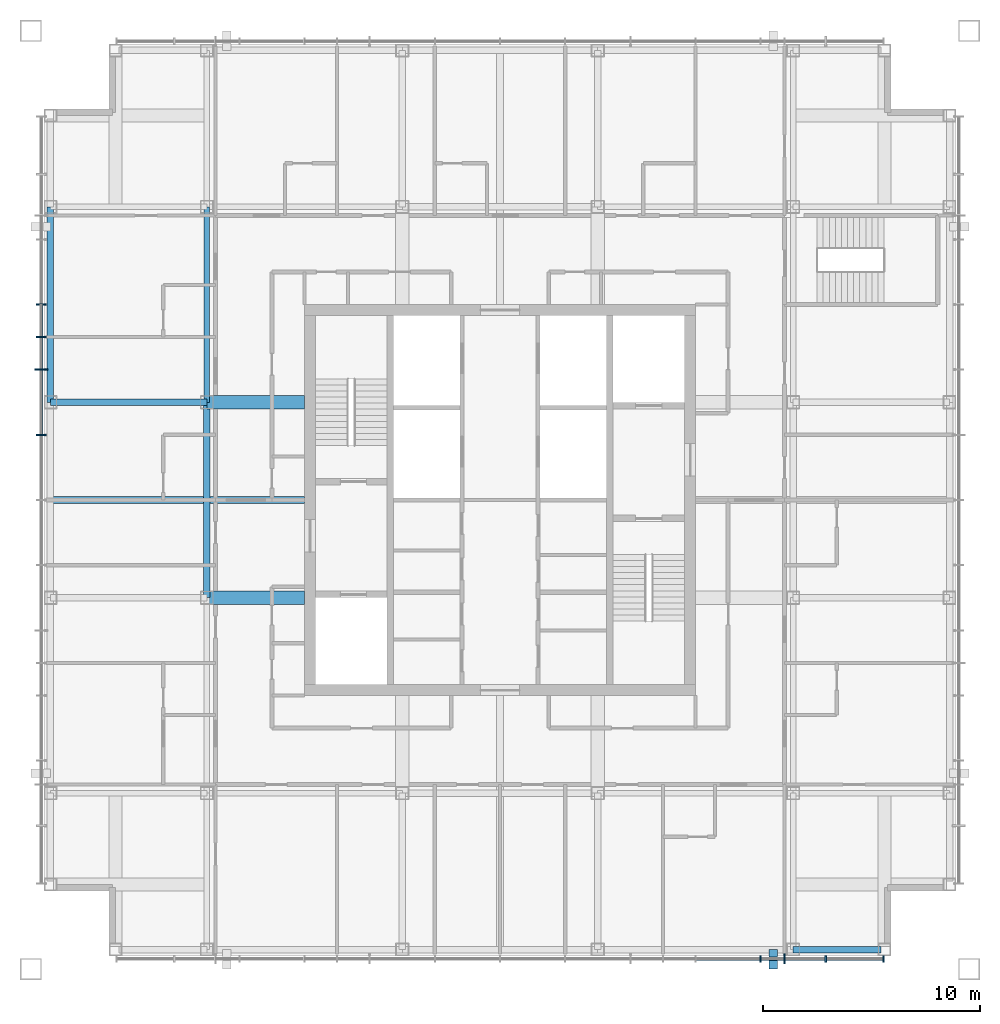
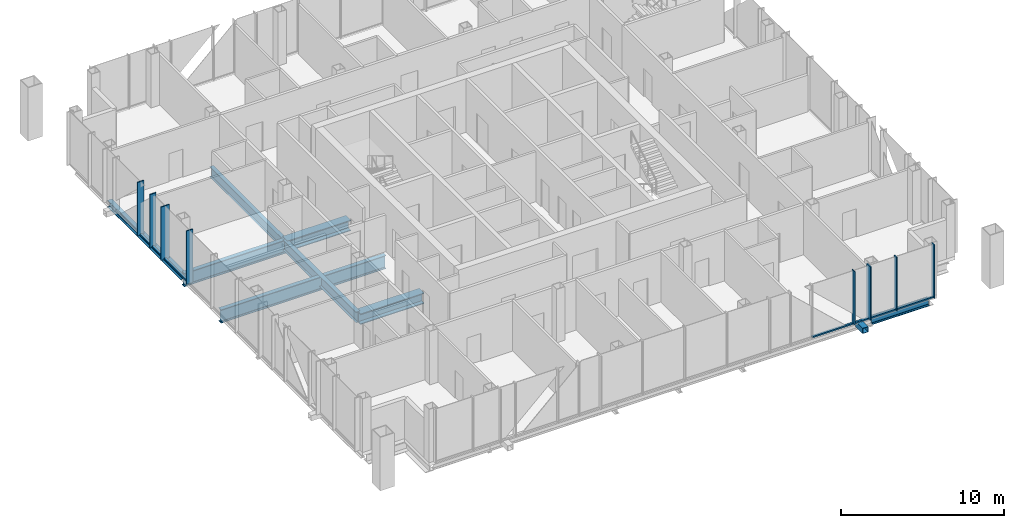
# One storey, part 3 of 14: 16 members, 8 beams, 2 elements without a shape of their own.
"""IFC4 building model written with IfcOpenShell, lengths in metres."""

from ifc_helpers import new_model, si_unit, direction, frame, origin, origin_2d, place, context, subcontext, project, spatial, rectangle, hollow_rectangle, i_section, extrude, material, layer, layer_set, material_profile, profile_set, type_object, element, aggregate, save


model = new_model("IFC4")

# Units and contexts
model_context = context("Model", 3, precision=1e-05, world=origin(), true_north=direction((0.0, 1.0)))
body_context = subcontext(model_context, "Body", "Model", "MODEL_VIEW")
ifc_project = project(units=[si_unit("LENGTHUNIT", "METRE"), si_unit("AREAUNIT", "SQUARE_METRE"), si_unit("VOLUMEUNIT", "CUBIC_METRE"), si_unit("PLANEANGLEUNIT", "RADIAN"), si_unit("MASSUNIT", "GRAM", prefix="KILO")], contexts=[model_context])

# Site, building, storey
site_placement = place(None, origin())
site = spatial("IfcSite", under=ifc_project, at=site_placement, CompositionType="ELEMENT")
building_placement = place(site_placement, origin())
building = spatial("IfcBuilding", under=site, at=building_placement, Name="Malebo Sky Hospital", CompositionType="ELEMENT")
storey_placement = place(building_placement, frame((0.0, 0.0, 258.0)))
storey = spatial("IfcBuildingStorey", under=building, at=storey_placement, Name="L62", CompositionType="ELEMENT", Elevation=258.0)

# Curtain wall, members
ifc_material_1 = material(Name="Anodised aluminium, natural silver", Category="aluminium")
ifc_layer_1 = layer(ifc_material_1, 0.25)
ifc_layer_set_1 = layer_set([ifc_layer_1], Name="WARD CURTAIN WALL EAST AND WEST")
curtain_wall_type_1 = type_object("IfcCurtainWallType", Name="WARD CURTAIN WALL EAST AND WEST", PredefinedType="NOTDEFINED", material=ifc_layer_set_1)
curtain_wall_1_placement = place(storey_placement, origin())
curtain_wall_1 = element("IfcCurtainWall", 1, at=curtain_wall_1_placement, inside=storey, type_object=curtain_wall_type_1, Name="EW curtain wall W", PredefinedType="NOTDEFINED")
ifc_material_profile_1 = material_profile(ifc_material_1, rectangle(XDim=0.14990234375, YDim=0.10009765625, at=origin_2d()), Name="ALUMINIUM TRANSOM 150x100")
ifc_profile_set_1 = profile_set([ifc_material_profile_1], Name="Anodised aluminium, natural silver")
member_type_1 = type_object("IfcMemberType", Name="ALUMINIUM TRANSOM 150x100", PredefinedType="USERDEFINED", material=ifc_profile_set_1)
member_1_placement = place(storey_placement, frame((38.875, 65.03759765625, 0.050048828125), z_axis=(0.0, 1.0, 0.0), x_axis=(-1.0, 0.0, 0.0)))
member_1 = element("IfcMember", 2, at=member_1_placement, type_object=member_type_1, Name="Transom 10", ObjectType="TRANSOM", PredefinedType="USERDEFINED", context=body_context, shape_type="SweptSolid", body=[
    extrude(rectangle(XDim=0.14990234375, YDim=0.10009765625, at=origin_2d()), origin(), (0.0, 0.0, 1.0), 2.9248046875),
])
member_2_placement = place(storey_placement, frame((38.875, 68.03759765625, 0.050048828125), z_axis=(0.0, 1.0, 0.0), x_axis=(-1.0, 0.0, 0.0)))
member_2 = element("IfcMember", 3, at=member_2_placement, type_object=member_type_1, Name="Transom 11", ObjectType="TRANSOM", PredefinedType="USERDEFINED", context=body_context, shape_type="SweptSolid", body=[
    extrude(rectangle(XDim=0.14990234375, YDim=0.10009765625, at=origin_2d()), origin(), (0.0, 0.0, 1.0), 1.4248046875),
])
member_3_placement = place(storey_placement, frame((38.875, 69.53759765625, 0.050048828125), z_axis=(0.0, 1.0, 0.0), x_axis=(-1.0, 0.0, 0.0)))
member_3 = element("IfcMember", 4, at=member_3_placement, type_object=member_type_1, Name="Transom 12", ObjectType="TRANSOM", PredefinedType="USERDEFINED", context=body_context, shape_type="SweptSolid", body=[
    extrude(rectangle(XDim=0.14990234375, YDim=0.10009765625, at=origin_2d()), origin(), (0.0, 0.0, 1.0), 1.4248046875),
])

ifc_layer_2 = layer(ifc_material_1, 0.25)
ifc_layer_set_2 = layer_set([ifc_layer_2], Name="WARD CURTAIN WALL NORTH AND SOUTH")
curtain_wall_type_2 = type_object("IfcCurtainWallType", Name="WARD CURTAIN WALL NORTH AND SOUTH", PredefinedType="NOTDEFINED", material=ifc_layer_set_2)
curtain_wall_2_placement = place(storey_placement, origin())
curtain_wall_2 = element("IfcCurtainWall", 5, at=curtain_wall_2_placement, inside=storey, type_object=curtain_wall_type_2, Name="NS curtain wall S", PredefinedType="NOTDEFINED")
member_4_placement = place(storey_placement, frame((77.625, 40.875, 0.050048828125), z_axis=(-1.0, 0.0, 0.0), x_axis=(0.0, -1.0, 0.0)))
member_4 = element("IfcMember", 6, at=member_4_placement, type_object=member_type_1, Name="Transom 1", ObjectType="TRANSOM", PredefinedType="USERDEFINED", context=body_context, shape_type="SweptSolid", body=[
    extrude(rectangle(XDim=0.14990234375, YDim=0.10009765625, at=origin_2d()), origin(), (0.0, 0.0, 1.0), 2.58740234375),
])
member_5_placement = place(storey_placement, frame((74.96240234375, 40.875, 0.050048828125), z_axis=(-1.0, 0.0, 0.0), x_axis=(0.0, -1.0, 0.0)))
member_5 = element("IfcMember", 7, at=member_5_placement, type_object=member_type_1, Name="Transom 2", ObjectType="TRANSOM", PredefinedType="USERDEFINED", context=body_context, shape_type="SweptSolid", body=[
    extrude(rectangle(XDim=0.14990234375, YDim=0.10009765625, at=origin_2d()), origin(), (0.0, 0.0, 1.0), 1.824951171875),
])
member_6_placement = place(storey_placement, frame((73.0625, 40.875, 0.050048828125), z_axis=(-1.0, 0.0, 0.0), x_axis=(0.0, -1.0, 0.0)))
member_6 = element("IfcMember", 8, at=member_6_placement, type_object=member_type_1, Name="Transom 3", ObjectType="TRANSOM", PredefinedType="USERDEFINED", context=body_context, shape_type="SweptSolid", body=[
    extrude(rectangle(XDim=0.14990234375, YDim=0.10009765625, at=origin_2d()), origin(), (0.0, 0.0, 1.0), 1.02490234375),
])
member_7_placement = place(storey_placement, frame((71.96240234375, 40.875, 0.050048828125), z_axis=(-1.0, 0.0, 0.0), x_axis=(0.0, -1.0, 0.0)))
member_7 = element("IfcMember", 9, at=member_7_placement, type_object=member_type_1, Name="Transom 4", ObjectType="TRANSOM", PredefinedType="USERDEFINED", context=body_context, shape_type="SweptSolid", body=[
    extrude(rectangle(XDim=0.14990234375, YDim=0.10009765625, at=origin_2d()), origin(), (0.0, 0.0, 1.0), 2.9248046875),
])

# Member
ifc_material_2 = material(Name="Steel S355", Category="steel")
ifc_material_profile_2 = material_profile(ifc_material_2, hollow_rectangle(XDim=0.39990234375, YDim=0.39990234375, WallThickness=0.02001953125, at=origin_2d()), Name="SHS 400x20")
ifc_profile_set_2 = profile_set([ifc_material_profile_2], Name="Steel S355")
member_type_2 = type_object("IfcMemberType", Name="BRACE STRUT SHS 400x20", PredefinedType="STRUT", material=ifc_profile_set_2)
member_8_placement = place(storey_placement, frame((72.575439453125, 40.39990234375, -0.39990234375), z_axis=(0.0, 1.0, 0.0), x_axis=(-1.0, 0.0, 0.0)))
element("IfcMember", 10, at=member_8_placement, inside=storey, type_object=member_type_2, Name="Brace strut DS2 L62", PredefinedType="STRUT", context=body_context, shape_type="SweptSolid", body=[
    extrude(hollow_rectangle(XDim=0.39990234375, YDim=0.39990234375, WallThickness=0.02001953125, at=origin_2d()), origin(), (0.0, 0.0, 1.0), 0.900146484375),
])

ifc_material_profile_3 = material_profile(ifc_material_1, rectangle(XDim=0.074951171875, YDim=0.300048828125, at=origin_2d()), Name="CW1 ALUMINIUM FIN MULLION 75x300")
ifc_profile_set_3 = profile_set([ifc_material_profile_3], Name="Anodised aluminium, natural silver")
member_type_3 = type_object("IfcMemberType", Name="CW1 ALUMINIUM FIN MULLION 75x300", PredefinedType="MULLION", material=ifc_profile_set_3)
member_9_placement = place(storey_placement, frame((77.66259765625, 40.875, 0.0), z_axis=(0.0, 0.0, 1.0), x_axis=(-1.0, 0.0, 0.0)))
member_9 = element("IfcMember", 11, at=member_9_placement, type_object=member_type_3, Name="Fin mullion 1", PredefinedType="MULLION", context=body_context, shape_type="SweptSolid", body=[
    extrude(rectangle(XDim=0.074951171875, YDim=0.300048828125, at=origin_2d()), origin(), (0.0, 0.0, 1.0), 4.0),
])

member_10_placement = place(storey_placement, frame((75.0, 40.875, 0.0), z_axis=(0.0, 0.0, 1.0), x_axis=(-1.0, 0.0, 0.0)))
member_10 = element("IfcMember", 12, at=member_10_placement, type_object=member_type_3, Name="Fin mullion 2", PredefinedType="MULLION", context=body_context, shape_type="SweptSolid", body=[
    extrude(rectangle(XDim=0.074951171875, YDim=0.300048828125, at=origin_2d()), origin(), (0.0, 0.0, 1.0), 4.0),
])

member_11_placement = place(storey_placement, frame((72.0, 40.875, 0.0), z_axis=(0.0, 0.0, 1.0), x_axis=(-1.0, 0.0, 0.0)))
member_11 = element("IfcMember", 13, at=member_11_placement, type_object=member_type_3, Name="Fin mullion 4", PredefinedType="MULLION", context=body_context, shape_type="SweptSolid", body=[
    extrude(rectangle(XDim=0.074951171875, YDim=0.300048828125, at=origin_2d()), origin(), (0.0, 0.0, 1.0), 4.0),
])

ifc_material_profile_4 = material_profile(ifc_material_1, rectangle(XDim=0.074951171875, YDim=0.449951171875, at=origin_2d()), Name="CW1 ALUMINIUM FIN MULLION 75x450")
ifc_profile_set_4 = profile_set([ifc_material_profile_4], Name="Anodised aluminium, natural silver")
member_type_4 = type_object("IfcMemberType", Name="CW1 ALUMINIUM FIN MULLION 75x450", PredefinedType="MULLION", material=ifc_profile_set_4)
member_12_placement = place(storey_placement, frame((73.10009765625, 40.875, 0.0), z_axis=(0.0, 0.0, 1.0), x_axis=(-1.0, 0.0, 0.0)))
member_12 = element("IfcMember", 14, at=member_12_placement, type_object=member_type_4, Name="Fin mullion 3", PredefinedType="MULLION", context=body_context, shape_type="SweptSolid", body=[
    extrude(rectangle(XDim=0.074951171875, YDim=0.449951171875, at=origin_2d()), origin(), (0.0, 0.0, 1.0), 4.0),
])

aggregate(curtain_wall_2, [member_9, member_10, member_12, member_11, member_4, member_5, member_6, member_7])

ifc_material_profile_5 = material_profile(ifc_material_1, rectangle(XDim=0.074951171875, YDim=0.449951171875, at=origin_2d()), Name="CW2 ALUMINIUM FIN MULLION 75x450")
ifc_profile_set_5 = profile_set([ifc_material_profile_5], Name="Anodised aluminium, natural silver")
member_type_5 = type_object("IfcMemberType", Name="CW2 ALUMINIUM FIN MULLION 75x450", PredefinedType="MULLION", material=ifc_profile_set_5)
member_13_placement = place(storey_placement, frame((38.875, 65.0, 0.0), z_axis=(0.0, 0.0, 1.0), x_axis=(0.0, 1.0, 0.0)))
member_13 = element("IfcMember", 15, at=member_13_placement, type_object=member_type_5, Name="Fin mullion 10", PredefinedType="MULLION", context=body_context, shape_type="SweptSolid", body=[
    extrude(rectangle(XDim=0.074951171875, YDim=0.449951171875, at=origin_2d()), origin(), (0.0, 0.0, 1.0), 4.0),
])

member_14_placement = place(storey_placement, frame((38.875, 69.5, 0.0), z_axis=(0.0, 0.0, 1.0), x_axis=(0.0, 1.0, 0.0)))
member_14 = element("IfcMember", 16, at=member_14_placement, type_object=member_type_5, Name="Fin mullion 12", PredefinedType="MULLION", context=body_context, shape_type="SweptSolid", body=[
    extrude(rectangle(XDim=0.074951171875, YDim=0.449951171875, at=origin_2d()), origin(), (0.0, 0.0, 1.0), 4.0),
])

member_15_placement = place(storey_placement, frame((38.875, 71.0, 0.0), z_axis=(0.0, 0.0, 1.0), x_axis=(0.0, 1.0, 0.0)))
member_15 = element("IfcMember", 17, at=member_15_placement, type_object=member_type_5, Name="Fin mullion 13", PredefinedType="MULLION", context=body_context, shape_type="SweptSolid", body=[
    extrude(rectangle(XDim=0.074951171875, YDim=0.449951171875, at=origin_2d()), origin(), (0.0, 0.0, 1.0), 4.0),
])

ifc_material_profile_6 = material_profile(ifc_material_1, rectangle(XDim=0.074951171875, YDim=0.60009765625, at=origin_2d()), Name="CW2 ALUMINIUM FIN MULLION 75x600")
ifc_profile_set_6 = profile_set([ifc_material_profile_6], Name="Anodised aluminium, natural silver")
member_type_6 = type_object("IfcMemberType", Name="CW2 ALUMINIUM FIN MULLION 75x600", PredefinedType="MULLION", material=ifc_profile_set_6)
member_16_placement = place(storey_placement, frame((38.875, 68.0, 0.0), z_axis=(0.0, 0.0, 1.0), x_axis=(0.0, 1.0, 0.0)))
member_16 = element("IfcMember", 18, at=member_16_placement, type_object=member_type_6, Name="Fin mullion 11", PredefinedType="MULLION", context=body_context, shape_type="SweptSolid", body=[
    extrude(rectangle(XDim=0.074951171875, YDim=0.60009765625, at=origin_2d()), origin(), (0.0, 0.0, 1.0), 4.0),
])

aggregate(curtain_wall_1, [member_13, member_16, member_14, member_15, member_1, member_2, member_3])

# Beams
ifc_material_profile_7 = material_profile(ifc_material_2, i_section(OverallWidth=0.305908203125, OverallDepth=0.52392578125, WebThickness=0.02099609375, FlangeThickness=0.0400390625, FilletRadius=0.027099609375, at=origin_2d()), Name="HEM 500")
ifc_profile_set_7 = profile_set([ifc_material_profile_7], Name="Steel S355")
beam_type_1 = type_object("IfcBeamType", Name="EDGE BEAM HEM 500", PredefinedType="BEAM", material=ifc_profile_set_7)
beam_1_placement = place(storey_placement, frame((39.300048828125, 66.5, -0.511962890625), z_axis=(0.0, 1.0, 0.0), x_axis=(-1.0, 0.0, 0.0)))
element("IfcBeam", 19, at=beam_1_placement, inside=storey, type_object=beam_type_1, Name="Beam 003 L62", PredefinedType="BEAM", context=body_context, shape_type="SweptSolid", body=[
    extrude(i_section(OverallWidth=0.305908203125, OverallDepth=0.52392578125, WebThickness=0.02099609375, FlangeThickness=0.0400390625, FilletRadius=0.027099609375, at=origin_2d()), origin(), (0.0, 0.0, 1.0), 9.0),
])
beam_2_placement = place(storey_placement, frame((73.5, 41.300048828125, -0.511962890625), z_axis=(1.0, 0.0, 0.0), x_axis=(0.0, 1.0, 0.0)))
element("IfcBeam", 20, at=beam_2_placement, inside=storey, type_object=beam_type_1, Name="Beam 038 L62", PredefinedType="BEAM", context=body_context, shape_type="SweptSolid", body=[
    extrude(i_section(OverallWidth=0.305908203125, OverallDepth=0.52392578125, WebThickness=0.02099609375, FlangeThickness=0.0400390625, FilletRadius=0.027099609375, at=origin_2d()), origin(), (0.0, 0.0, 1.0), 4.050048828125),
])
ifc_material_profile_8 = material_profile(ifc_material_2, i_section(OverallWidth=0.300048828125, OverallDepth=1.0, WebThickness=0.01904296875, FlangeThickness=0.035888671875, FilletRadius=0.030029296875, at=origin_2d()), Name="HEB 1000")
ifc_profile_set_8 = profile_set([ifc_material_profile_8], Name="Steel S355")
beam_type_2 = type_object("IfcBeamType", Name="FLOOR BEAM HEB 1000", PredefinedType="BEAM", material=ifc_profile_set_8)
beam_3_placement = place(storey_placement, frame((39.300048828125, 62.0, -0.75), z_axis=(1.0, 0.0, 0.0), x_axis=(0.0, 1.0, 0.0)))
element("IfcBeam", 21, at=beam_3_placement, inside=storey, type_object=beam_type_2, Name="Beam 050 L62", PredefinedType="BEAM", context=body_context, shape_type="SweptSolid", body=[
    extrude(i_section(OverallWidth=0.300048828125, OverallDepth=1.0, WebThickness=0.01904296875, FlangeThickness=0.035888671875, FilletRadius=0.030029296875, at=origin_2d()), origin(), (0.0, 0.0, 1.0), 11.699951171875),
])
beam_4_placement = place(storey_placement, frame((39.300048828125, 66.5, -0.75), z_axis=(1.0, 0.0, 0.0), x_axis=(0.0, 1.0, 0.0)))
element("IfcBeam", 22, at=beam_4_placement, inside=storey, type_object=beam_type_2, Name="Beam 052 L62", PredefinedType="BEAM", context=body_context, shape_type="SweptSolid", body=[
    extrude(i_section(OverallWidth=0.300048828125, OverallDepth=1.0, WebThickness=0.01904296875, FlangeThickness=0.035888671875, FilletRadius=0.030029296875, at=origin_2d()), origin(), (0.0, 0.0, 1.0), 7.199951171875),
])
ifc_material_profile_9 = material_profile(ifc_material_2, i_section(OverallWidth=0.26708984375, OverallDepth=0.761962890625, WebThickness=0.014404296875, FlangeThickness=0.021484375, FilletRadius=0.01708984375, at=origin_2d()), Name="IPE 750x173")
ifc_profile_set_9 = profile_set([ifc_material_profile_9], Name="Steel S355")
beam_type_3 = type_object("IfcBeamType", Name="FLOOR BEAM IPE 750x173", PredefinedType="BEAM", material=ifc_profile_set_9)
beam_5_placement = place(storey_placement, frame((46.5, 66.5, -0.631103515625), z_axis=(0.0, 1.0, 0.0), x_axis=(-1.0, 0.0, 0.0)))
element("IfcBeam", 23, at=beam_5_placement, inside=storey, type_object=beam_type_3, Name="Beam 010 L62", PredefinedType="BEAM", context=body_context, shape_type="SweptSolid", body=[
    extrude(i_section(OverallWidth=0.26708984375, OverallDepth=0.761962890625, WebThickness=0.014404296875, FlangeThickness=0.021484375, FilletRadius=0.01708984375, at=origin_2d()), origin(), (0.0, 0.0, 1.0), 9.0),
])
ifc_material_profile_10 = material_profile(ifc_material_2, i_section(OverallWidth=0.60009765625, OverallDepth=0.800048828125, WebThickness=0.0400390625, FlangeThickness=0.06005859375, at=origin_2d()), Name="PG 800x600x40x60")
ifc_profile_set_10 = profile_set([ifc_material_profile_10], Name="Steel S355")
beam_type_4 = type_object("IfcBeamType", Name="FLOOR BEAM PG 800x600x40x60", PredefinedType="BEAM", material=ifc_profile_set_10)
for number, where, z_axis, x_axis, name in (
    (24, (46.5, 57.5, -0.64990234375), (1.0, 0.0, 0.0), (0.0, 1.0, 0.0), "Beam 047 L62"),
    (25, (46.5, 66.5, -0.64990234375), (1.0, 0.0, 0.0), (0.0, 1.0, 0.0), "Beam 053 L62"),
):
    element("IfcBeam", number, at=place(storey_placement, frame(where, z_axis=z_axis, x_axis=x_axis)), inside=storey, type_object=beam_type_4, Name=name, PredefinedType="BEAM", context=body_context, shape_type="SweptSolid", body=[
        extrude(i_section(OverallWidth=0.60009765625, OverallDepth=0.800048828125, WebThickness=0.0400390625, FlangeThickness=0.06005859375, at=origin_2d()), origin(), (0.0, 0.0, 1.0), 4.5),
    ])
ifc_material_profile_11 = material_profile(ifc_material_2, i_section(OverallWidth=0.300048828125, OverallDepth=0.800048828125, WebThickness=0.017578125, FlangeThickness=0.032958984375, FilletRadius=0.030029296875, at=origin_2d()), Name="HEB 800")
ifc_profile_set_11 = profile_set([ifc_material_profile_11], Name="Steel S355")
beam_type_5 = type_object("IfcBeamType", Name="RING GIRDER HEB 800", PredefinedType="BEAM", material=ifc_profile_set_11)
beam_6_placement = place(storey_placement, frame((46.5, 57.5, -0.64990234375), z_axis=(0.0, 1.0, 0.0), x_axis=(-1.0, 0.0, 0.0)))
element("IfcBeam", 26, at=beam_6_placement, inside=storey, type_object=beam_type_5, Name="Beam 009 L62", PredefinedType="BEAM", context=body_context, shape_type="SweptSolid", body=[
    extrude(i_section(OverallWidth=0.300048828125, OverallDepth=0.800048828125, WebThickness=0.017578125, FlangeThickness=0.032958984375, FilletRadius=0.030029296875, at=origin_2d()), origin(), (0.0, 0.0, 1.0), 9.0),
])

save(model, "model.ifc")
